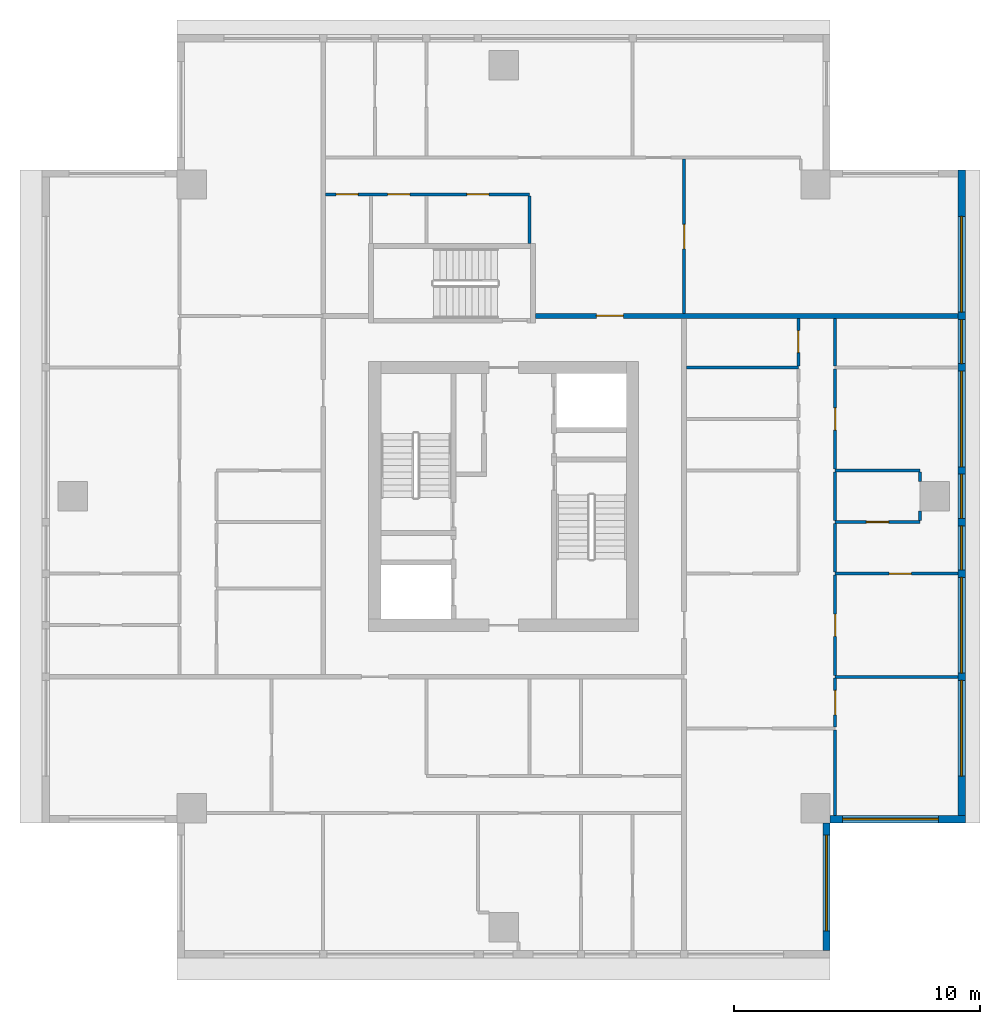
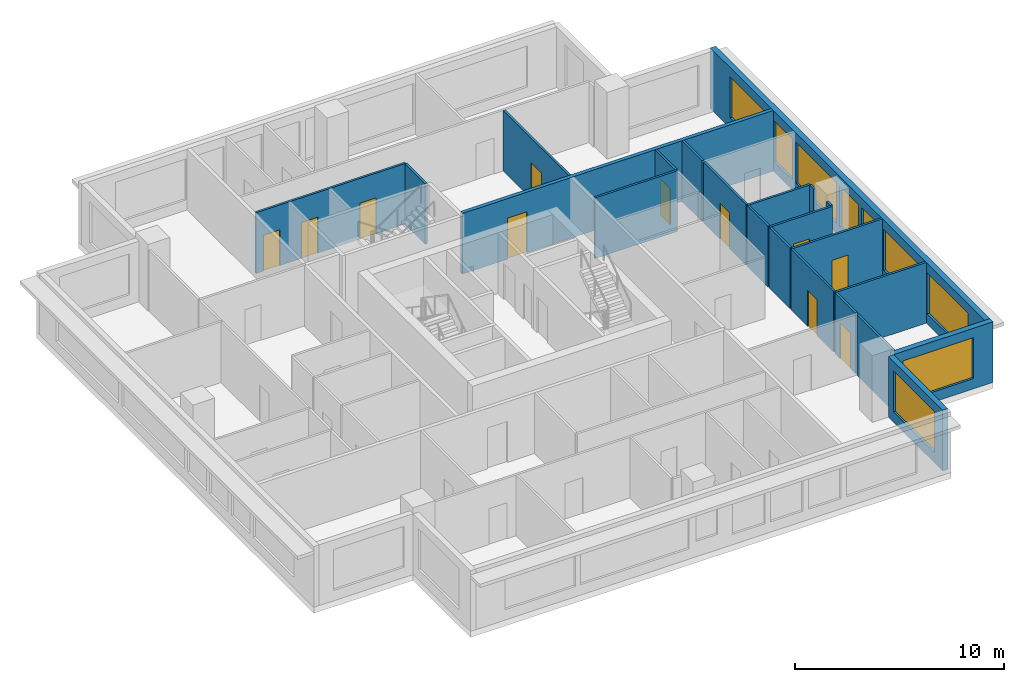
# One storey, part 4 of 8: 22 walls, 11 doors, 9 windows, 20 openings.
"""IFC4 building model written with IfcOpenShell, lengths in metres."""

from ifc_helpers import new_model, si_unit, direction, frame, frame_2d, origin, place, context, subcontext, project, spatial, rectangle, extrude, material, layer, layer_set, type_object, element, fill, save


model = new_model("IFC4")

# Units and contexts
model_context = context("Model", 3, precision=1e-05, world=origin(), true_north=direction((0.0, 1.0)))
body_context = subcontext(model_context, "Body", "Model", "MODEL_VIEW")
ifc_project = project(units=[si_unit("LENGTHUNIT", "METRE"), si_unit("AREAUNIT", "SQUARE_METRE"), si_unit("VOLUMEUNIT", "CUBIC_METRE"), si_unit("PLANEANGLEUNIT", "RADIAN"), si_unit("MASSUNIT", "GRAM", prefix="KILO")], contexts=[model_context])

# Site, building, storey
site_placement = place(None, origin())
site = spatial("IfcSite", under=ifc_project, at=site_placement, CompositionType="ELEMENT")
building_placement = place(site_placement, origin())
building = spatial("IfcBuilding", under=site, at=building_placement, Name="Khepri Terraces", CompositionType="ELEMENT")
storey_placement = place(building_placement, frame((0.0, 0.0, 304.5)))
storey = spatial("IfcBuildingStorey", under=building, at=storey_placement, Name="L73", CompositionType="ELEMENT", Elevation=304.5)

# Wall, opening, door
ifc_material_1 = material(Name="Fire-rated gypsum plasterboard partition, mineral wool")
ifc_layer_1 = layer(ifc_material_1, 0.199951171875, Name="Fire-rated gypsum plasterboard partition, mineral wool")
ifc_layer_set_1 = layer_set([ifc_layer_1], Name="Fire-rated gypsum plasterboard partition, mineral wool")
wall_type_1 = type_object("IfcWallType", Name="WL-CORR-200", PredefinedType="PARTITIONING", material=ifc_layer_set_1)
wall_1_placement = place(storey_placement, frame((1.300048828125, 7.35009765625, 0.0), z_axis=(0.0, 0.0, 1.0), x_axis=(1.0, 0.0, 0.0)))
wall_1 = element("IfcWall", 1, at=wall_1_placement, inside=storey, type_object=wall_type_1, Name="Partition P-055 L73", PredefinedType="PARTITIONING", context=body_context, shape_type="SweptSolid", body=[
    extrude(rectangle(XDim=17.199951171875, YDim=0.199951171875, at=frame_2d((8.60009765625, 0.0))), origin(), (0.0, 0.0, 1.0), 3.550048828125),
])
opening_1_placement = place(wall_1_placement, frame((2.47509765625, 0.0, 0.0)))
opening_1 = element("IfcOpeningElement", 2, at=opening_1_placement, cuts=wall_1, Name="Opening D1", PredefinedType="OPENING", context=body_context, shape_type="SweptSolid", body=[
    extrude(rectangle(XDim=1.10009765625, YDim=2.39990234375, at=frame_2d((0.550048828125, 1.199951171875))), frame((0.0, 0.10986328125, 0.0), z_axis=(0.0, -1.0, 0.0), x_axis=(1.0, 0.0, 0.0)), (0.0, 0.0, 1.0), 0.219970703125),
])
ifc_material_2 = material(Name="Solid-core timber door leaf, flat entrance door", Category="wood")
door_type_1 = type_object("IfcDoorType", Name="DR-ENT-1100", OperationType="NOTDEFINED", PredefinedType="DOOR", material=ifc_material_2)
door_1_placement = place(opening_1_placement, origin())
door_1 = element("IfcDoor", 3, at=door_1_placement, inside=storey, type_object=door_type_1, Name="Flat C1 entrance door", OperationType="SINGLE_SWING_LEFT", OverallHeight=2.39990234375, OverallWidth=1.10009765625, PredefinedType="DOOR", context=body_context, shape_type="SweptSolid", body=[
    extrude(rectangle(XDim=1.10009765625, YDim=2.39990234375, at=frame_2d((0.550048828125, 1.199951171875))), frame((0.0, 0.02490234375, 0.0), z_axis=(0.0, -1.0, 0.0), x_axis=(1.0, 0.0, 0.0)), (0.0, 0.0, 1.0), 0.050048828125),
])
fill(opening_1, door_1)

# Wall, openings, windows
ifc_material_3 = material(Name="Precast concrete C50/60 warm stone", Category="masonry")
ifc_layer_2 = layer(ifc_material_3, 0.300048828125, Name="Precast concrete C50/60 warm stone", Category="masonry")
ifc_layer_set_2 = layer_set([ifc_layer_2], Name="Precast concrete C50/60 warm stone")
wall_type_2 = type_object("IfcWallType", Name="WL-EXT-PRECAST-300", PredefinedType="STANDARD", material=ifc_layer_set_2)
wall_2_placement = place(storey_placement, frame((18.64990234375, -13.0, 0.0), z_axis=(0.0, 0.0, 1.0), x_axis=(0.0, 1.0, 0.0)))
wall_2 = element("IfcWall", 4, at=wall_2_placement, inside=storey, type_object=wall_type_2, Name="External wall L73 E", PredefinedType="STANDARD", context=body_context, shape_type="SweptSolid", body=[
    extrude(rectangle(XDim=26.300048828125, YDim=0.300048828125, at=frame_2d((13.14990234375, 0.0))), origin(), (0.0, 0.0, 1.0), 3.550048828125),
])
opening_2_placement = place(wall_2_placement, frame((1.60009765625, 0.0, 0.60009765625)))
opening_2 = element("IfcOpeningElement", 5, at=opening_2_placement, cuts=wall_2, Name="Opening WC2", PredefinedType="OPENING", context=body_context, shape_type="SweptSolid", body=[
    extrude(rectangle(XDim=3.89990234375, YDim=2.39990234375, at=frame_2d((1.949951171875, 1.199951171875))), frame((0.0, 0.16015625, 0.0), z_axis=(0.0, -1.0, 0.0), x_axis=(1.0, 0.0, 0.0)), (0.0, 0.0, 1.0), 0.320068359375),
])
opening_3_placement = place(wall_2_placement, frame((5.800048828125, 0.0, 0.60009765625)))
opening_3 = element("IfcOpeningElement", 6, at=opening_3_placement, cuts=wall_2, Name="Opening WC2", PredefinedType="OPENING", context=body_context, shape_type="SweptSolid", body=[
    extrude(rectangle(XDim=3.89990234375, YDim=2.39990234375, at=frame_2d((1.949951171875, 1.199951171875))), frame((0.0, 0.16015625, 0.0), z_axis=(0.0, -1.0, 0.0), x_axis=(1.0, 0.0, 0.0)), (0.0, 0.0, 1.0), 0.320068359375),
])
opening_4_placement = place(wall_2_placement, frame((10.0, 0.0, 0.60009765625)))
opening_4 = element("IfcOpeningElement", 7, at=opening_4_placement, cuts=wall_2, Name="Opening WC1", PredefinedType="OPENING", context=body_context, shape_type="SweptSolid", body=[
    extrude(rectangle(XDim=1.800048828125, YDim=2.39990234375, at=frame_2d((0.89990234375, 1.199951171875))), frame((0.0, 0.16015625, 0.0), z_axis=(0.0, -1.0, 0.0), x_axis=(1.0, 0.0, 0.0)), (0.0, 0.0, 1.0), 0.320068359375),
])
opening_5_placement = place(wall_2_placement, frame((12.10009765625, 0.0, 0.60009765625)))
opening_5 = element("IfcOpeningElement", 8, at=opening_5_placement, cuts=wall_2, Name="Opening WC1", PredefinedType="OPENING", context=body_context, shape_type="SweptSolid", body=[
    extrude(rectangle(XDim=1.800048828125, YDim=2.39990234375, at=frame_2d((0.89990234375, 1.199951171875))), frame((0.0, 0.16015625, 0.0), z_axis=(0.0, -1.0, 0.0), x_axis=(1.0, 0.0, 0.0)), (0.0, 0.0, 1.0), 0.320068359375),
])
opening_6_placement = place(wall_2_placement, frame((14.199951171875, 0.0, 0.60009765625)))
opening_6 = element("IfcOpeningElement", 9, at=opening_6_placement, cuts=wall_2, Name="Opening WC2", PredefinedType="OPENING", context=body_context, shape_type="SweptSolid", body=[
    extrude(rectangle(XDim=3.89990234375, YDim=2.39990234375, at=frame_2d((1.949951171875, 1.199951171875))), frame((0.0, 0.16015625, 0.0), z_axis=(0.0, -1.0, 0.0), x_axis=(1.0, 0.0, 0.0)), (0.0, 0.0, 1.0), 0.320068359375),
])
opening_7_placement = place(wall_2_placement, frame((18.39990234375, 0.0, 0.60009765625)))
opening_7 = element("IfcOpeningElement", 10, at=opening_7_placement, cuts=wall_2, Name="Opening WC1", PredefinedType="OPENING", context=body_context, shape_type="SweptSolid", body=[
    extrude(rectangle(XDim=1.800048828125, YDim=2.39990234375, at=frame_2d((0.89990234375, 1.199951171875))), frame((0.0, 0.16015625, 0.0), z_axis=(0.0, -1.0, 0.0), x_axis=(1.0, 0.0, 0.0)), (0.0, 0.0, 1.0), 0.320068359375),
])
opening_8_placement = place(wall_2_placement, frame((20.5, 0.0, 0.60009765625)))
opening_8 = element("IfcOpeningElement", 11, at=opening_8_placement, cuts=wall_2, Name="Opening WC2", PredefinedType="OPENING", context=body_context, shape_type="SweptSolid", body=[
    extrude(rectangle(XDim=3.89990234375, YDim=2.39990234375, at=frame_2d((1.949951171875, 1.199951171875))), frame((0.0, 0.16015625, 0.0), z_axis=(0.0, -1.0, 0.0), x_axis=(1.0, 0.0, 0.0)), (0.0, 0.0, 1.0), 0.320068359375),
])
ifc_material_4 = material(Name="Clear glass", Category="glass")
window_type_1 = type_object("IfcWindowType", Name="WIN-CRN-1800x2400", PartitioningType="SINGLE_PANEL", PredefinedType="WINDOW", material=ifc_material_4)
window_1_placement = place(opening_4_placement, origin())
window_1 = element("IfcWindow", 12, at=window_1_placement, inside=storey, type_object=window_type_1, Name="Window L73 E", OverallHeight=2.39990234375, OverallWidth=1.800048828125, PartitioningType="SINGLE_PANEL", PredefinedType="WINDOW", context=body_context, shape_type="SweptSolid", body=[
    extrude(rectangle(XDim=1.800048828125, YDim=2.39990234375, at=frame_2d((0.89990234375, 1.199951171875))), frame((0.0, 0.030029296875, 0.0), z_axis=(0.0, -1.0, 0.0), x_axis=(1.0, 0.0, 0.0)), (0.0, 0.0, 1.0), 0.06005859375),
])
fill(opening_4, window_1)
window_2_placement = place(opening_5_placement, origin())
window_2 = element("IfcWindow", 13, at=window_2_placement, inside=storey, type_object=window_type_1, Name="Window L73 E", OverallHeight=2.39990234375, OverallWidth=1.800048828125, PartitioningType="SINGLE_PANEL", PredefinedType="WINDOW", context=body_context, shape_type="SweptSolid", body=[
    extrude(rectangle(XDim=1.800048828125, YDim=2.39990234375, at=frame_2d((0.89990234375, 1.199951171875))), frame((0.0, 0.030029296875, 0.0), z_axis=(0.0, -1.0, 0.0), x_axis=(1.0, 0.0, 0.0)), (0.0, 0.0, 1.0), 0.06005859375),
])
fill(opening_5, window_2)
window_3_placement = place(opening_7_placement, origin())
window_3 = element("IfcWindow", 14, at=window_3_placement, inside=storey, type_object=window_type_1, Name="Window L73 E", OverallHeight=2.39990234375, OverallWidth=1.800048828125, PartitioningType="SINGLE_PANEL", PredefinedType="WINDOW", context=body_context, shape_type="SweptSolid", body=[
    extrude(rectangle(XDim=1.800048828125, YDim=2.39990234375, at=frame_2d((0.89990234375, 1.199951171875))), frame((0.0, 0.030029296875, 0.0), z_axis=(0.0, -1.0, 0.0), x_axis=(1.0, 0.0, 0.0)), (0.0, 0.0, 1.0), 0.06005859375),
])
fill(opening_7, window_3)
window_type_2 = type_object("IfcWindowType", Name="WIN-CRN-3900x2400", PartitioningType="SINGLE_PANEL", PredefinedType="WINDOW", material=ifc_material_4)
window_4_placement = place(opening_2_placement, origin())
window_4 = element("IfcWindow", 15, at=window_4_placement, inside=storey, type_object=window_type_2, Name="Window L73 E", OverallHeight=2.39990234375, OverallWidth=3.89990234375, PartitioningType="SINGLE_PANEL", PredefinedType="WINDOW", context=body_context, shape_type="SweptSolid", body=[
    extrude(rectangle(XDim=3.89990234375, YDim=2.39990234375, at=frame_2d((1.949951171875, 1.199951171875))), frame((0.0, 0.030029296875, 0.0), z_axis=(0.0, -1.0, 0.0), x_axis=(1.0, 0.0, 0.0)), (0.0, 0.0, 1.0), 0.06005859375),
])
fill(opening_2, window_4)
window_5_placement = place(opening_3_placement, origin())
window_5 = element("IfcWindow", 16, at=window_5_placement, inside=storey, type_object=window_type_2, Name="Window L73 E", OverallHeight=2.39990234375, OverallWidth=3.89990234375, PartitioningType="SINGLE_PANEL", PredefinedType="WINDOW", context=body_context, shape_type="SweptSolid", body=[
    extrude(rectangle(XDim=3.89990234375, YDim=2.39990234375, at=frame_2d((1.949951171875, 1.199951171875))), frame((0.0, 0.030029296875, 0.0), z_axis=(0.0, -1.0, 0.0), x_axis=(1.0, 0.0, 0.0)), (0.0, 0.0, 1.0), 0.06005859375),
])
fill(opening_3, window_5)
window_6_placement = place(opening_6_placement, origin())
window_6 = element("IfcWindow", 17, at=window_6_placement, inside=storey, type_object=window_type_2, Name="Window L73 E", OverallHeight=2.39990234375, OverallWidth=3.89990234375, PartitioningType="SINGLE_PANEL", PredefinedType="WINDOW", context=body_context, shape_type="SweptSolid", body=[
    extrude(rectangle(XDim=3.89990234375, YDim=2.39990234375, at=frame_2d((1.949951171875, 1.199951171875))), frame((0.0, 0.030029296875, 0.0), z_axis=(0.0, -1.0, 0.0), x_axis=(1.0, 0.0, 0.0)), (0.0, 0.0, 1.0), 0.06005859375),
])
fill(opening_6, window_6)
window_7_placement = place(opening_8_placement, origin())
window_7 = element("IfcWindow", 18, at=window_7_placement, inside=storey, type_object=window_type_2, Name="Window L73 E", OverallHeight=2.39990234375, OverallWidth=3.89990234375, PartitioningType="SINGLE_PANEL", PredefinedType="WINDOW", context=body_context, shape_type="SweptSolid", body=[
    extrude(rectangle(XDim=3.89990234375, YDim=2.39990234375, at=frame_2d((1.949951171875, 1.199951171875))), frame((0.0, 0.030029296875, 0.0), z_axis=(0.0, -1.0, 0.0), x_axis=(1.0, 0.0, 0.0)), (0.0, 0.0, 1.0), 0.06005859375),
])
fill(opening_8, window_7)

# Wall, opening, window
wall_3_placement = place(storey_placement, frame((13.14990234375, -18.5, 0.0), z_axis=(0.0, 0.0, 1.0), x_axis=(0.0, 1.0, 0.0)))
wall_3 = element("IfcWall", 19, at=wall_3_placement, inside=storey, type_object=wall_type_2, Name="External wall L73 E", PredefinedType="STANDARD", context=body_context, shape_type="SweptSolid", body=[
    extrude(rectangle(XDim=5.199951171875, YDim=0.300048828125, at=frame_2d((2.60009765625, 0.0))), origin(), (0.0, 0.0, 1.0), 3.550048828125),
])
opening_9_placement = place(wall_3_placement, frame((0.800048828125, 0.0, 0.60009765625)))
opening_9 = element("IfcOpeningElement", 20, at=opening_9_placement, cuts=wall_3, Name="Opening WC2", PredefinedType="OPENING", context=body_context, shape_type="SweptSolid", body=[
    extrude(rectangle(XDim=3.89990234375, YDim=2.39990234375, at=frame_2d((1.949951171875, 1.199951171875))), frame((0.0, 0.16015625, 0.0), z_axis=(0.0, -1.0, 0.0), x_axis=(1.0, 0.0, 0.0)), (0.0, 0.0, 1.0), 0.320068359375),
])
window_8_placement = place(opening_9_placement, origin())
window_8 = element("IfcWindow", 21, at=window_8_placement, inside=storey, type_object=window_type_2, Name="Window L73 E", OverallHeight=2.39990234375, OverallWidth=3.89990234375, PartitioningType="SINGLE_PANEL", PredefinedType="WINDOW", context=body_context, shape_type="SweptSolid", body=[
    extrude(rectangle(XDim=3.89990234375, YDim=2.39990234375, at=frame_2d((1.949951171875, 1.199951171875))), frame((0.0, 0.030029296875, 0.0), z_axis=(0.0, -1.0, 0.0), x_axis=(1.0, 0.0, 0.0)), (0.0, 0.0, 1.0), 0.06005859375),
])
fill(opening_9, window_8)

wall_4_placement = place(storey_placement, frame((13.300048828125, -13.14990234375, 0.0), z_axis=(0.0, 0.0, 1.0), x_axis=(1.0, 0.0, 0.0)))
wall_4 = element("IfcWall", 22, at=wall_4_placement, inside=storey, type_object=wall_type_2, Name="External wall L73 S", PredefinedType="STANDARD", context=body_context, shape_type="SweptSolid", body=[
    extrude(rectangle(XDim=5.5, YDim=0.300048828125, at=frame_2d((2.75, 0.0))), origin(), (0.0, 0.0, 1.0), 3.550048828125),
])
opening_10_placement = place(wall_4_placement, frame((0.5, 0.0, 0.60009765625)))
opening_10 = element("IfcOpeningElement", 23, at=opening_10_placement, cuts=wall_4, Name="Opening WC2", PredefinedType="OPENING", context=body_context, shape_type="SweptSolid", body=[
    extrude(rectangle(XDim=3.89990234375, YDim=2.39990234375, at=frame_2d((1.949951171875, 1.199951171875))), frame((0.0, 0.16015625, 0.0), z_axis=(0.0, -1.0, 0.0), x_axis=(1.0, 0.0, 0.0)), (0.0, 0.0, 1.0), 0.320068359375),
])
window_9_placement = place(opening_10_placement, origin())
window_9 = element("IfcWindow", 24, at=window_9_placement, inside=storey, type_object=window_type_2, Name="Window L73 S", OverallHeight=2.39990234375, OverallWidth=3.89990234375, PartitioningType="SINGLE_PANEL", PredefinedType="WINDOW", context=body_context, shape_type="SweptSolid", body=[
    extrude(rectangle(XDim=3.89990234375, YDim=2.39990234375, at=frame_2d((1.949951171875, 1.199951171875))), frame((0.0, 0.030029296875, 0.0), z_axis=(0.0, -1.0, 0.0), x_axis=(1.0, 0.0, 0.0)), (0.0, 0.0, 1.0), 0.06005859375),
])
fill(opening_10, window_9)

# Wall
ifc_material_5 = material(Name="Gypsum plasterboard partition")
ifc_layer_3 = layer(ifc_material_5, 0.1201171875, Name="Gypsum plasterboard partition")
ifc_layer_set_3 = layer_set([ifc_layer_3], Name="Gypsum plasterboard partition")
wall_type_3 = type_object("IfcWallType", Name="WL-PART-120", PredefinedType="PARTITIONING", material=ifc_layer_set_3)
wall_5_placement = place(storey_placement, frame((13.5, -13.0, 0.0), z_axis=(0.0, 0.0, 1.0), x_axis=(0.0, 1.0, 0.0)))
element("IfcWall", 25, at=wall_5_placement, inside=storey, type_object=wall_type_3, Name="Partition P-008 L73", PredefinedType="PARTITIONING", context=body_context, shape_type="SweptSolid", body=[
    extrude(rectangle(XDim=3.489990234375, YDim=0.1201171875, at=frame_2d((1.7451171875, 0.0))), origin(), (0.0, 0.0, 1.0), 3.550048828125),
])

# Wall, opening, door
wall_6_placement = place(storey_placement, frame((13.5, -9.389892578125, 0.0), z_axis=(0.0, 0.0, 1.0), x_axis=(0.0, 1.0, 0.0)))
wall_6 = element("IfcWall", 26, at=wall_6_placement, inside=storey, type_object=wall_type_3, Name="Partition P-016 L73", PredefinedType="PARTITIONING", context=body_context, shape_type="SweptSolid", body=[
    extrude(rectangle(XDim=1.97998046875, YDim=0.1201171875, at=frame_2d((0.989990234375, 0.0))), origin(), (0.0, 0.0, 1.0), 3.550048828125),
])
opening_11_placement = place(wall_6_placement, frame((0.489990234375, 0.0, 0.0)))
opening_11 = element("IfcOpeningElement", 27, at=opening_11_placement, cuts=wall_6, Name="Opening D2", PredefinedType="OPENING", context=body_context, shape_type="SweptSolid", body=[
    extrude(rectangle(XDim=1.0, YDim=2.10009765625, at=frame_2d((0.5, 1.050048828125))), frame((0.0, 0.070068359375, 0.0), z_axis=(0.0, -1.0, 0.0), x_axis=(1.0, 0.0, 0.0)), (0.0, 0.0, 1.0), 0.14013671875),
])
ifc_material_6 = material(Name="Timber door leaf, living room door", Category="wood")
door_type_2 = type_object("IfcDoorType", Name="DR-INT-1000", OperationType="NOTDEFINED", PredefinedType="DOOR", material=ifc_material_6)
door_2_placement = place(opening_11_placement, frame((1.0, 0.0, 0.0), z_axis=(0.0, 0.0, 1.0), x_axis=(-1.0, 0.0, 0.0)))
door_2 = element("IfcDoor", 28, at=door_2_placement, inside=storey, type_object=door_type_2, Name="Door Living Room", OperationType="SINGLE_SWING_LEFT", OverallHeight=2.10009765625, OverallWidth=1.0, PredefinedType="DOOR", context=body_context, shape_type="SweptSolid", body=[
    extrude(rectangle(XDim=1.0, YDim=2.10009765625, at=frame_2d((0.5, 1.050048828125))), frame((0.0, 0.02490234375, 0.0), z_axis=(0.0, -1.0, 0.0), x_axis=(1.0, 0.0, 0.0)), (0.0, 0.0, 1.0), 0.050048828125),
])
fill(opening_11, door_2)

# Wall
wall_7_placement = place(storey_placement, frame((13.5, -7.35009765625, 0.0), z_axis=(0.0, 0.0, 1.0), x_axis=(1.0, 0.0, 0.0)))
element("IfcWall", 29, at=wall_7_placement, inside=storey, type_object=wall_type_3, Name="Partition P-018 L73", PredefinedType="PARTITIONING", context=body_context, shape_type="SweptSolid", body=[
    extrude(rectangle(XDim=5.0, YDim=0.1201171875, at=frame_2d((2.5, 0.0))), origin(), (0.0, 0.0, 1.0), 3.550048828125),
])

# Wall, opening, door
wall_8_placement = place(storey_placement, frame((13.5, -7.2900390625, 0.0), z_axis=(0.0, 0.0, 1.0), x_axis=(0.0, 1.0, 0.0)))
wall_8 = element("IfcWall", 30, at=wall_8_placement, inside=storey, type_object=wall_type_3, Name="Partition P-019 L73", PredefinedType="PARTITIONING", context=body_context, shape_type="SweptSolid", body=[
    extrude(rectangle(XDim=4.080078125, YDim=0.1201171875, at=frame_2d((2.0400390625, 0.0))), origin(), (0.0, 0.0, 1.0), 3.550048828125),
])
opening_12_placement = place(wall_8_placement, frame((1.590087890625, 0.0, 0.0)))
opening_12 = element("IfcOpeningElement", 31, at=opening_12_placement, cuts=wall_8, Name="Opening D3", PredefinedType="OPENING", context=body_context, shape_type="SweptSolid", body=[
    extrude(rectangle(XDim=0.89990234375, YDim=2.10009765625, at=frame_2d((0.449951171875, 1.050048828125))), frame((0.0, 0.070068359375, 0.0), z_axis=(0.0, -1.0, 0.0), x_axis=(1.0, 0.0, 0.0)), (0.0, 0.0, 1.0), 0.14013671875),
])
ifc_material_7 = material(Name="Timber door leaf", Category="wood")
door_type_3 = type_object("IfcDoorType", Name="DR-INT-900", OperationType="NOTDEFINED", PredefinedType="DOOR", material=ifc_material_7)
door_3_placement = place(opening_12_placement, frame((0.89990234375, 0.0, 0.0), z_axis=(0.0, 0.0, 1.0), x_axis=(-1.0, 0.0, 0.0)))
door_3 = element("IfcDoor", 32, at=door_3_placement, inside=storey, type_object=door_type_3, Name="Door Master Bedroom", OperationType="SINGLE_SWING_LEFT", OverallHeight=2.10009765625, OverallWidth=0.89990234375, PredefinedType="DOOR", context=body_context, shape_type="SweptSolid", body=[
    extrude(rectangle(XDim=0.89990234375, YDim=2.10009765625, at=frame_2d((0.449951171875, 1.050048828125))), frame((0.0, 0.02490234375, 0.0), z_axis=(0.0, -1.0, 0.0), x_axis=(1.0, 0.0, 0.0)), (0.0, 0.0, 1.0), 0.050048828125),
])
fill(opening_12, door_3)

wall_9_placement = place(storey_placement, frame((13.5, -3.14990234375, 0.0), z_axis=(0.0, 0.0, 1.0), x_axis=(1.0, 0.0, 0.0)))
wall_9 = element("IfcWall", 33, at=wall_9_placement, inside=storey, type_object=wall_type_3, Name="Partition P-030 L73", PredefinedType="PARTITIONING", context=body_context, shape_type="SweptSolid", body=[
    extrude(rectangle(XDim=5.0, YDim=0.1201171875, at=frame_2d((2.5, 0.0))), origin(), (0.0, 0.0, 1.0), 3.550048828125),
])
opening_13_placement = place(wall_9_placement, frame((2.199951171875, 0.0, 0.0)))
opening_13 = element("IfcOpeningElement", 34, at=opening_13_placement, cuts=wall_9, Name="Opening D3", PredefinedType="OPENING", context=body_context, shape_type="SweptSolid", body=[
    extrude(rectangle(XDim=0.89990234375, YDim=2.10009765625, at=frame_2d((0.449951171875, 1.050048828125))), frame((0.0, 0.070068359375, 0.0), z_axis=(0.0, -1.0, 0.0), x_axis=(1.0, 0.0, 0.0)), (0.0, 0.0, 1.0), 0.14013671875),
])
door_4_placement = place(opening_13_placement, origin())
door_4 = element("IfcDoor", 35, at=door_4_placement, inside=storey, type_object=door_type_3, Name="Door Dressing Room", OperationType="SINGLE_SWING_RIGHT", OverallHeight=2.10009765625, OverallWidth=0.89990234375, PredefinedType="DOOR", context=body_context, shape_type="SweptSolid", body=[
    extrude(rectangle(XDim=0.89990234375, YDim=2.10009765625, at=frame_2d((0.449951171875, 1.050048828125))), frame((0.0, 0.02490234375, 0.0), z_axis=(0.0, -1.0, 0.0), x_axis=(1.0, 0.0, 0.0)), (0.0, 0.0, 1.0), 0.050048828125),
])
fill(opening_13, door_4)

# Wall
wall_10_placement = place(storey_placement, frame((13.5, -3.090087890625, 0.0), z_axis=(0.0, 0.0, 1.0), x_axis=(0.0, 1.0, 0.0)))
element("IfcWall", 36, at=wall_10_placement, inside=storey, type_object=wall_type_3, Name="Partition P-033 L73", PredefinedType="PARTITIONING", context=body_context, shape_type="SweptSolid", body=[
    extrude(rectangle(XDim=1.97998046875, YDim=0.1201171875, at=frame_2d((0.989990234375, 0.0))), origin(), (0.0, 0.0, 1.0), 3.550048828125),
])

# Wall, opening, door
wall_11_placement = place(storey_placement, frame((13.5, -1.050048828125, 0.0), z_axis=(0.0, 0.0, 1.0), x_axis=(1.0, 0.0, 0.0)))
wall_11 = element("IfcWall", 37, at=wall_11_placement, inside=storey, type_object=wall_type_3, Name="Partition P-035 L73", PredefinedType="PARTITIONING", context=body_context, shape_type="SweptSolid", body=[
    extrude(rectangle(XDim=3.448974609375, YDim=0.1201171875, at=frame_2d((1.724609375, 0.0))), origin(), (0.0, 0.0, 1.0), 3.550048828125),
])
opening_14_placement = place(wall_11_placement, frame((1.2744140625, 0.0, 0.0)))
opening_14 = element("IfcOpeningElement", 38, at=opening_14_placement, cuts=wall_11, Name="Opening D4", PredefinedType="OPENING", context=body_context, shape_type="SweptSolid", body=[
    extrude(rectangle(XDim=0.89990234375, YDim=2.10009765625, at=frame_2d((0.449951171875, 1.050048828125))), frame((0.0, 0.070068359375, 0.0), z_axis=(0.0, -1.0, 0.0), x_axis=(1.0, 0.0, 0.0)), (0.0, 0.0, 1.0), 0.14013671875),
])
ifc_material_8 = material(Name="Timber door leaf, moisture resistant", Category="wood")
door_type_4 = type_object("IfcDoorType", Name="DR-WET-900", OperationType="NOTDEFINED", PredefinedType="DOOR", material=ifc_material_8)
door_5_placement = place(opening_14_placement, origin())
door_5 = element("IfcDoor", 39, at=door_5_placement, inside=storey, type_object=door_type_4, Name="Door Bathroom", OperationType="SINGLE_SWING_RIGHT", OverallHeight=2.10009765625, OverallWidth=0.89990234375, PredefinedType="DOOR", context=body_context, shape_type="SweptSolid", body=[
    extrude(rectangle(XDim=0.89990234375, YDim=2.10009765625, at=frame_2d((0.449951171875, 1.050048828125))), frame((0.0, 0.02490234375, 0.0), z_axis=(0.0, -1.0, 0.0), x_axis=(1.0, 0.0, 0.0)), (0.0, 0.0, 1.0), 0.050048828125),
])
fill(opening_14, door_5)

# Walls
wall_12_placement = place(storey_placement, frame((13.5, -0.989990234375, 0.0), z_axis=(0.0, 0.0, 1.0), x_axis=(0.0, 1.0, 0.0)))
element("IfcWall", 40, at=wall_12_placement, inside=storey, type_object=wall_type_3, Name="Partition P-037 L73", PredefinedType="PARTITIONING", context=body_context, shape_type="SweptSolid", body=[
    extrude(rectangle(XDim=1.97998046875, YDim=0.1201171875, at=frame_2d((0.989990234375, 0.0))), origin(), (0.0, 0.0, 1.0), 3.550048828125),
])
for number, where, z_axis, x_axis, name in (
    (41, (16.948974609375, -0.989990234375, 0.0), (0.0, 0.0, 1.0), (0.0, 1.0, 0.0), "Partition P-038 L73"),
    (42, (16.948974609375, 0.60009765625, 0.0), (0.0, 0.0, 1.0), (0.0, 1.0, 0.0), "Partition P-039 L73"),
):
    element("IfcWall", number, at=place(storey_placement, frame(where, z_axis=z_axis, x_axis=x_axis)), inside=storey, type_object=wall_type_3, Name=name, PredefinedType="PARTITIONING", context=body_context, shape_type="SweptSolid", body=[
        extrude(rectangle(XDim=0.389892578125, YDim=0.1201171875, at=frame_2d((0.19482421875, 0.0))), origin(), (0.0, 0.0, 1.0), 3.550048828125),
    ])
wall_13_placement = place(storey_placement, frame((13.5, 1.050048828125, 0.0), z_axis=(0.0, 0.0, 1.0), x_axis=(1.0, 0.0, 0.0)))
element("IfcWall", 43, at=wall_13_placement, inside=storey, type_object=wall_type_3, Name="Partition P-042 L73", PredefinedType="PARTITIONING", context=body_context, shape_type="SweptSolid", body=[
    extrude(rectangle(XDim=3.448974609375, YDim=0.1201171875, at=frame_2d((1.724609375, 0.0))), origin(), (0.0, 0.0, 1.0), 3.550048828125),
])

# Wall, opening, door
wall_14_placement = place(storey_placement, frame((13.5, 1.110107421875, 0.0), z_axis=(0.0, 0.0, 1.0), x_axis=(0.0, 1.0, 0.0)))
wall_14 = element("IfcWall", 44, at=wall_14_placement, inside=storey, type_object=wall_type_3, Name="Partition P-044 L73", PredefinedType="PARTITIONING", context=body_context, shape_type="SweptSolid", body=[
    extrude(rectangle(XDim=4.079833984375, YDim=0.1201171875, at=frame_2d((2.0400390625, 0.0))), origin(), (0.0, 0.0, 1.0), 3.550048828125),
])
opening_15_placement = place(wall_14_placement, frame((1.590087890625, 0.0, 0.0)))
opening_15 = element("IfcOpeningElement", 45, at=opening_15_placement, cuts=wall_14, Name="Opening D3", PredefinedType="OPENING", context=body_context, shape_type="SweptSolid", body=[
    extrude(rectangle(XDim=0.89990234375, YDim=2.10009765625, at=frame_2d((0.449951171875, 1.050048828125))), frame((0.0, 0.070068359375, 0.0), z_axis=(0.0, -1.0, 0.0), x_axis=(1.0, 0.0, 0.0)), (0.0, 0.0, 1.0), 0.14013671875),
])
door_6_placement = place(opening_15_placement, frame((0.89990234375, 0.0, 0.0), z_axis=(0.0, 0.0, 1.0), x_axis=(-1.0, 0.0, 0.0)))
door_6 = element("IfcDoor", 46, at=door_6_placement, inside=storey, type_object=door_type_3, Name="Door Bedroom", OperationType="SINGLE_SWING_LEFT", OverallHeight=2.10009765625, OverallWidth=0.89990234375, PredefinedType="DOOR", context=body_context, shape_type="SweptSolid", body=[
    extrude(rectangle(XDim=0.89990234375, YDim=2.10009765625, at=frame_2d((0.449951171875, 1.050048828125))), frame((0.0, 0.02490234375, 0.0), z_axis=(0.0, -1.0, 0.0), x_axis=(1.0, 0.0, 0.0)), (0.0, 0.0, 1.0), 0.050048828125),
])
fill(opening_15, door_6)

# Wall
wall_15_placement = place(storey_placement, frame((7.449951171875, 5.25, 0.0), z_axis=(0.0, 0.0, 1.0), x_axis=(1.0, 0.0, 0.0)))
element("IfcWall", 47, at=wall_15_placement, inside=storey, type_object=wall_type_3, Name="Partition P-048 L73", PredefinedType="PARTITIONING", context=body_context, shape_type="SweptSolid", body=[
    extrude(rectangle(XDim=4.550048828125, YDim=0.1201171875, at=frame_2d((2.27490234375, 0.0))), origin(), (0.0, 0.0, 1.0), 3.550048828125),
])

# Wall, opening, door
wall_16_placement = place(storey_placement, frame((12.0, 5.31005859375, 0.0), z_axis=(0.0, 0.0, 1.0), x_axis=(0.0, 1.0, 0.0)))
wall_16 = element("IfcWall", 48, at=wall_16_placement, inside=storey, type_object=wall_type_3, Name="Partition P-051 L73", PredefinedType="PARTITIONING", context=body_context, shape_type="SweptSolid", body=[
    extrude(rectangle(XDim=1.93994140625, YDim=0.1201171875, at=frame_2d((0.969970703125, 0.0))), origin(), (0.0, 0.0, 1.0), 3.550048828125),
])
opening_16_placement = place(wall_16_placement, frame((0.5400390625, 0.0, 0.0)))
opening_16 = element("IfcOpeningElement", 49, at=opening_16_placement, cuts=wall_16, Name="Opening D4", PredefinedType="OPENING", context=body_context, shape_type="SweptSolid", body=[
    extrude(rectangle(XDim=0.89990234375, YDim=2.10009765625, at=frame_2d((0.449951171875, 1.050048828125))), frame((0.0, 0.070068359375, 0.0), z_axis=(0.0, -1.0, 0.0), x_axis=(1.0, 0.0, 0.0)), (0.0, 0.0, 1.0), 0.14013671875),
])
door_7_placement = place(opening_16_placement, origin())
door_7 = element("IfcDoor", 50, at=door_7_placement, inside=storey, type_object=door_type_4, Name="Door Powder Room", OperationType="SINGLE_SWING_RIGHT", OverallHeight=2.10009765625, OverallWidth=0.89990234375, PredefinedType="DOOR", context=body_context, shape_type="SweptSolid", body=[
    extrude(rectangle(XDim=0.89990234375, YDim=2.10009765625, at=frame_2d((0.449951171875, 1.050048828125))), frame((0.0, 0.02490234375, 0.0), z_axis=(0.0, -1.0, 0.0), x_axis=(1.0, 0.0, 0.0)), (0.0, 0.0, 1.0), 0.050048828125),
])
fill(opening_16, door_7)

# Wall
wall_17_placement = place(storey_placement, frame((13.5, 5.31005859375, 0.0), z_axis=(0.0, 0.0, 1.0), x_axis=(0.0, 1.0, 0.0)))
element("IfcWall", 51, at=wall_17_placement, inside=storey, type_object=wall_type_3, Name="Partition P-052 L73", PredefinedType="PARTITIONING", context=body_context, shape_type="SweptSolid", body=[
    extrude(rectangle(XDim=1.93994140625, YDim=0.1201171875, at=frame_2d((0.969970703125, 0.0))), origin(), (0.0, 0.0, 1.0), 3.550048828125),
])

# Wall, opening, door
wall_18_placement = place(storey_placement, frame((7.35009765625, 7.449951171875, 0.0), z_axis=(0.0, 0.0, 1.0), x_axis=(0.0, 1.0, 0.0)))
wall_18 = element("IfcWall", 52, at=wall_18_placement, inside=storey, type_object=wall_type_3, Name="Partition P-058 L73", PredefinedType="PARTITIONING", context=body_context, shape_type="SweptSolid", body=[
    extrude(rectangle(XDim=6.2900390625, YDim=0.1201171875, at=frame_2d((3.14501953125, 0.0))), origin(), (0.0, 0.0, 1.0), 3.550048828125),
])
opening_17_placement = place(wall_18_placement, frame((2.625, 0.0, 0.0)))
opening_17 = element("IfcOpeningElement", 53, at=opening_17_placement, cuts=wall_18, Name="Opening D2", PredefinedType="OPENING", context=body_context, shape_type="SweptSolid", body=[
    extrude(rectangle(XDim=1.0, YDim=2.10009765625, at=frame_2d((0.5, 1.050048828125))), frame((0.0, 0.070068359375, 0.0), z_axis=(0.0, -1.0, 0.0), x_axis=(1.0, 0.0, 0.0)), (0.0, 0.0, 1.0), 0.14013671875),
])
door_8_placement = place(opening_17_placement, frame((1.0, 0.0, 0.0), z_axis=(0.0, 0.0, 1.0), x_axis=(-1.0, 0.0, 0.0)))
door_8 = element("IfcDoor", 54, at=door_8_placement, inside=storey, type_object=door_type_2, Name="Door Family Room", OperationType="SINGLE_SWING_RIGHT", OverallHeight=2.10009765625, OverallWidth=1.0, PredefinedType="DOOR", context=body_context, shape_type="SweptSolid", body=[
    extrude(rectangle(XDim=1.0, YDim=2.10009765625, at=frame_2d((0.5, 1.050048828125))), frame((0.0, 0.02490234375, 0.0), z_axis=(0.0, -1.0, 0.0), x_axis=(1.0, 0.0, 0.0)), (0.0, 0.0, 1.0), 0.050048828125),
])
fill(opening_17, door_8)

# Wall
wall_19_placement = place(storey_placement, frame((1.050048828125, 10.300048828125, 0.0), z_axis=(0.0, 0.0, 1.0), x_axis=(0.0, 1.0, 0.0)))
element("IfcWall", 55, at=wall_19_placement, inside=storey, type_object=wall_type_3, Name="Partition P-061 L73", PredefinedType="PARTITIONING", context=body_context, shape_type="SweptSolid", body=[
    extrude(rectangle(XDim=1.93994140625, YDim=0.1201171875, at=frame_2d((0.969970703125, 0.0))), origin(), (0.0, 0.0, 1.0), 3.550048828125),
])

# Wall, openings, doors
wall_20_placement = place(storey_placement, frame((-7.25, 12.300048828125, 0.0), z_axis=(0.0, 0.0, 1.0), x_axis=(1.0, 0.0, 0.0)))
wall_20 = element("IfcWall", 56, at=wall_20_placement, inside=storey, type_object=wall_type_3, Name="Partition P-062 L73", PredefinedType="PARTITIONING", context=body_context, shape_type="SweptSolid", body=[
    extrude(rectangle(XDim=8.300048828125, YDim=0.1201171875, at=frame_2d((4.14990234375, 0.0))), origin(), (0.0, 0.0, 1.0), 3.550048828125),
])
opening_18_placement = place(wall_20_placement, frame((5.75, 0.0, 0.0)))
opening_18 = element("IfcOpeningElement", 57, at=opening_18_placement, cuts=wall_20, Name="Opening D3", PredefinedType="OPENING", context=body_context, shape_type="SweptSolid", body=[
    extrude(rectangle(XDim=0.89990234375, YDim=2.10009765625, at=frame_2d((0.449951171875, 1.050048828125))), frame((0.0, 0.070068359375, 0.0), z_axis=(0.0, -1.0, 0.0), x_axis=(1.0, 0.0, 0.0)), (0.0, 0.0, 1.0), 0.14013671875),
])
opening_19_placement = place(wall_20_placement, frame((2.52490234375, 0.0, 0.0)))
opening_19 = element("IfcOpeningElement", 58, at=opening_19_placement, cuts=wall_20, Name="Opening D3", PredefinedType="OPENING", context=body_context, shape_type="SweptSolid", body=[
    extrude(rectangle(XDim=0.89990234375, YDim=2.10009765625, at=frame_2d((0.449951171875, 1.050048828125))), frame((0.0, 0.070068359375, 0.0), z_axis=(0.0, -1.0, 0.0), x_axis=(1.0, 0.0, 0.0)), (0.0, 0.0, 1.0), 0.14013671875),
])
opening_20_placement = place(wall_20_placement, frame((0.425048828125, 0.0, 0.0)))
opening_20 = element("IfcOpeningElement", 59, at=opening_20_placement, cuts=wall_20, Name="Opening D4", PredefinedType="OPENING", context=body_context, shape_type="SweptSolid", body=[
    extrude(rectangle(XDim=0.89990234375, YDim=2.10009765625, at=frame_2d((0.449951171875, 1.050048828125))), frame((0.0, 0.070068359375, 0.0), z_axis=(0.0, -1.0, 0.0), x_axis=(1.0, 0.0, 0.0)), (0.0, 0.0, 1.0), 0.14013671875),
])
door_9_placement = place(opening_18_placement, frame((0.89990234375, 0.0, 0.0), z_axis=(0.0, 0.0, 1.0), x_axis=(-1.0, 0.0, 0.0)))
door_9 = element("IfcDoor", 60, at=door_9_placement, inside=storey, type_object=door_type_3, Name="Door Kitchen", OperationType="SINGLE_SWING_LEFT", OverallHeight=2.10009765625, OverallWidth=0.89990234375, PredefinedType="DOOR", context=body_context, shape_type="SweptSolid", body=[
    extrude(rectangle(XDim=0.89990234375, YDim=2.10009765625, at=frame_2d((0.449951171875, 1.050048828125))), frame((0.0, 0.02490234375, 0.0), z_axis=(0.0, -1.0, 0.0), x_axis=(1.0, 0.0, 0.0)), (0.0, 0.0, 1.0), 0.050048828125),
])
fill(opening_18, door_9)
door_10_placement = place(opening_19_placement, frame((0.89990234375, 0.0, 0.0), z_axis=(0.0, 0.0, 1.0), x_axis=(-1.0, 0.0, 0.0)))
door_10 = element("IfcDoor", 61, at=door_10_placement, inside=storey, type_object=door_type_3, Name="Door Service Store", OperationType="SINGLE_SWING_RIGHT", OverallHeight=2.10009765625, OverallWidth=0.89990234375, PredefinedType="DOOR", context=body_context, shape_type="SweptSolid", body=[
    extrude(rectangle(XDim=0.89990234375, YDim=2.10009765625, at=frame_2d((0.449951171875, 1.050048828125))), frame((0.0, 0.02490234375, 0.0), z_axis=(0.0, -1.0, 0.0), x_axis=(1.0, 0.0, 0.0)), (0.0, 0.0, 1.0), 0.050048828125),
])
fill(opening_19, door_10)
door_11_placement = place(opening_20_placement, frame((0.89990234375, 0.0, 0.0), z_axis=(0.0, 0.0, 1.0), x_axis=(-1.0, 0.0, 0.0)))
door_11 = element("IfcDoor", 62, at=door_11_placement, inside=storey, type_object=door_type_4, Name="Door Guest Bathroom", OperationType="SINGLE_SWING_RIGHT", OverallHeight=2.10009765625, OverallWidth=0.89990234375, PredefinedType="DOOR", context=body_context, shape_type="SweptSolid", body=[
    extrude(rectangle(XDim=0.89990234375, YDim=2.10009765625, at=frame_2d((0.449951171875, 1.050048828125))), frame((0.0, 0.02490234375, 0.0), z_axis=(0.0, -1.0, 0.0), x_axis=(1.0, 0.0, 0.0)), (0.0, 0.0, 1.0), 0.050048828125),
])
fill(opening_20, door_11)

save(model, "model.ifc")
